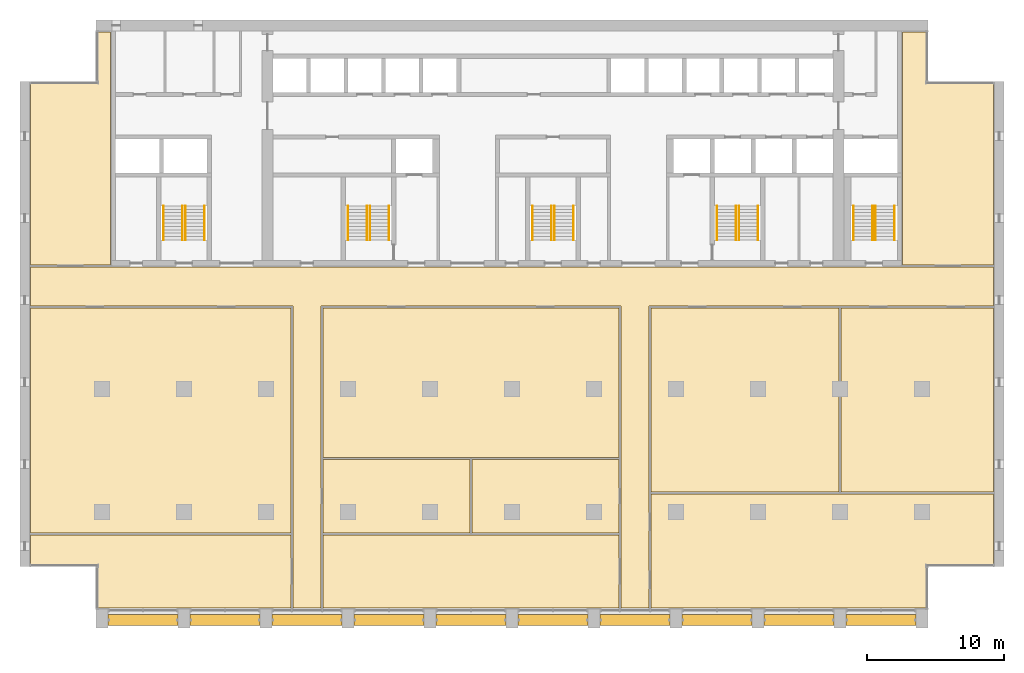
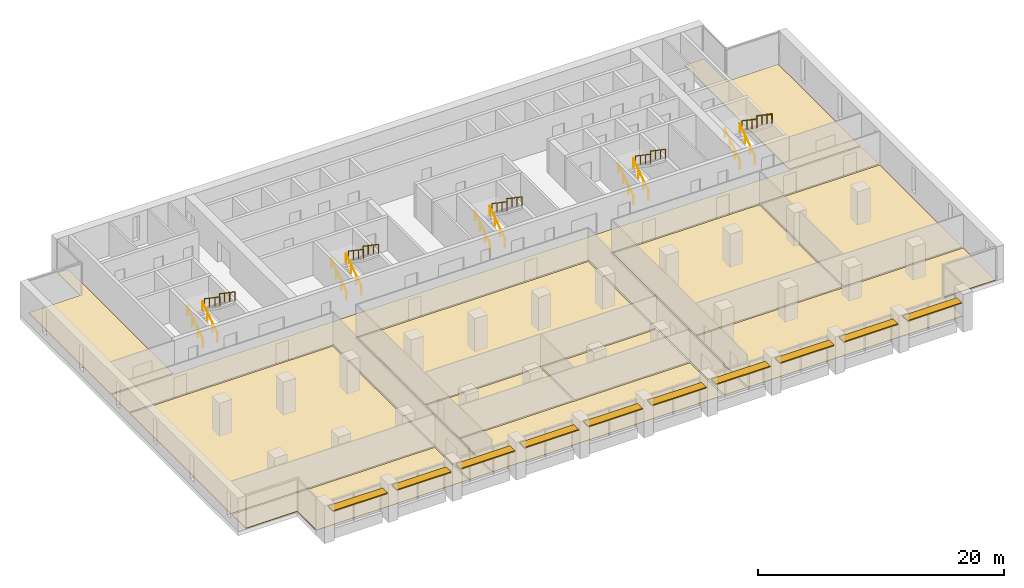
# One storey, part 15 of 15: 20 railings, 12 coverings, 10 shading devices, 5 elements without a shape of their own.
"""IFC4 building model written with IfcOpenShell, lengths in metres."""

from ifc_helpers import new_model, si_unit, direction, frame, origin, origin_2d, place, context, subcontext, project, spatial, polyline, rectangle, circle, outline, extrude, material, layer, layer_set, material_profile, profile_set, type_object, element, aggregate, save


model = new_model("IFC4")

# Units and contexts
model_context = context("Model", 3, precision=1e-05, world=origin(), true_north=direction((0.0, 1.0)))
body_context = subcontext(model_context, "Body", "Model", "MODEL_VIEW")
ifc_project = project(units=[si_unit("LENGTHUNIT", "METRE"), si_unit("AREAUNIT", "SQUARE_METRE"), si_unit("VOLUMEUNIT", "CUBIC_METRE"), si_unit("PLANEANGLEUNIT", "RADIAN"), si_unit("MASSUNIT", "GRAM", prefix="KILO")], contexts=[model_context])

# Site, building, storey
site_placement = place(None, origin())
site = spatial("IfcSite", under=ifc_project, at=site_placement, CompositionType="ELEMENT")
building_placement = place(site_placement, origin())
building = spatial("IfcBuilding", under=site, at=building_placement, Name="Calvaro Tower", CompositionType="ELEMENT")
storey_placement = place(building_placement, frame((0.0, 0.0, 147.5)))
storey = spatial("IfcBuildingStorey", under=building, at=storey_placement, Name="L37", CompositionType="ELEMENT", Elevation=147.5)

# Shading devices
ifc_material_1 = material(Name="Anodised aluminium", Category="aluminium")
ifc_material_profile = material_profile(ifc_material_1, rectangle(XDim=0.800048828125, YDim=0.10009765625, at=origin_2d()), Name="Brise-soleil blade 800 x 100")
ifc_profile_set = profile_set([ifc_material_profile], Name="Anodised aluminium")
shading_device_type = type_object("IfcShadingDeviceType", Name="Brise-soleil blade 800 x 100", PredefinedType="JALOUSIE", material=ifc_profile_set)
for number, where, z_axis, x_axis, name in (
    (1, (6.449951171875, 2.10009765625, 2.39990234375), (1.0, 0.0, 0.0), (0.0, 1.0, 0.0), "Brise-soleil blade 1"),
    (2, (12.449951171875, 2.10009765625, 2.39990234375), (1.0, 0.0, 0.0), (0.0, 1.0, 0.0), "Brise-soleil blade 2"),
    (3, (18.449951171875, 2.10009765625, 2.39990234375), (1.0, 0.0, 0.0), (0.0, 1.0, 0.0), "Brise-soleil blade 3"),
    (4, (24.449951171875, 2.10009765625, 2.39990234375), (1.0, 0.0, 0.0), (0.0, 1.0, 0.0), "Brise-soleil blade 4"),
    (5, (30.449951171875, 2.10009765625, 2.39990234375), (1.0, 0.0, 0.0), (0.0, 1.0, 0.0), "Brise-soleil blade 5"),
    (6, (36.449951171875, 2.10009765625, 2.39990234375), (1.0, 0.0, 0.0), (0.0, 1.0, 0.0), "Brise-soleil blade 6"),
    (7, (42.449951171875, 2.10009765625, 2.39990234375), (1.0, 0.0, 0.0), (0.0, 1.0, 0.0), "Brise-soleil blade 7"),
    (8, (48.449951171875, 2.10009765625, 2.39990234375), (1.0, 0.0, 0.0), (0.0, 1.0, 0.0), "Brise-soleil blade 8"),
    (9, (54.449951171875, 2.10009765625, 2.39990234375), (1.0, 0.0, 0.0), (0.0, 1.0, 0.0), "Brise-soleil blade 9"),
    (10, (60.449951171875, 2.10009765625, 2.39990234375), (1.0, 0.0, 0.0), (0.0, 1.0, 0.0), "Brise-soleil blade 10"),
):
    element("IfcShadingDevice", number, at=place(storey_placement, frame(where, z_axis=z_axis, x_axis=x_axis)), inside=storey, type_object=shading_device_type, Name=name, PredefinedType="JALOUSIE", context=body_context, shape_type="SweptSolid", body=[
        extrude(rectangle(XDim=0.800048828125, YDim=0.10009765625, at=origin_2d()), origin(), (0.0, 0.0, 1.0), 5.10009765625),
    ])

# Coverings
ifc_material_2 = material(Name="Cement screed with carpet tile finish")
ifc_layer = layer(ifc_material_2, 0.050048828125)
ifc_layer_set = layer_set([ifc_layer], Name="Cement screed with carpet tile finish")
covering_type = type_object("IfcCoveringType", Name="Floor finish 50", PredefinedType="FLOORING", material=ifc_layer_set)
covering_1_placement = place(storey_placement, origin())
element("IfcCovering", 11, at=covering_1_placement, inside=storey, type_object=covering_type, Name="Floor finish 22.01", PredefinedType="FLOORING", context=body_context, shape_type="SweptSolid", body=[
    extrude(outline(polyline([(19.969970703125, 2.969970703125), (19.969970703125, 25.070068359375), (0.77001953125, 25.070068359375), (0.77001953125, 27.929931640625), (71.22998046875, 27.929931640625), (71.22998046875, 25.070068359375), (46.030029296875, 25.070068359375), (46.030029296875, 2.969970703125), (43.969970703125, 2.969970703125), (43.969970703125, 25.070068359375), (22.030029296875, 25.070068359375), (22.030029296875, 2.969970703125), (19.969970703125, 2.969970703125)])), origin(), (0.0, 0.0, 1.0), 0.050048828125),
])
covering_2_placement = place(storey_placement, origin())
element("IfcCovering", 12, at=covering_2_placement, inside=storey, type_object=covering_type, Name="Floor finish 22.03", PredefinedType="FLOORING", context=body_context, shape_type="SweptSolid", body=[
    extrude(outline(polyline([(19.830078125, 8.330078125), (19.830078125, 2.969970703125), (5.6201171875, 2.969970703125), (5.6201171875, 6.070068359375), (0.77001953125, 6.070068359375), (0.77001953125, 8.330078125), (19.830078125, 8.330078125)])), origin(), (0.0, 0.0, 1.0), 0.050048828125),
])
covering_3_placement = place(storey_placement, origin())
element("IfcCovering", 13, at=covering_3_placement, inside=storey, type_object=covering_type, Name="Floor finish 22.07", PredefinedType="FLOORING", context=body_context, shape_type="SweptSolid", body=[
    extrude(outline(polyline([(19.830078125, 24.929931640625), (19.830078125, 8.469970703125), (0.77001953125, 8.469970703125), (0.77001953125, 24.929931640625), (19.830078125, 24.929931640625)])), origin(), (0.0, 0.0, 1.0), 0.050048828125),
])
covering_4_placement = place(storey_placement, origin())
element("IfcCovering", 14, at=covering_4_placement, inside=storey, type_object=covering_type, Name="Floor finish 22.02", PredefinedType="FLOORING", context=body_context, shape_type="SweptSolid", body=[
    extrude(outline(polyline([(22.169921875, 8.330078125), (43.830078125, 8.330078125), (43.830078125, 2.969970703125), (22.169921875, 2.969970703125), (22.169921875, 8.330078125)])), origin(), (0.0, 0.0, 1.0), 0.050048828125),
])
covering_5_placement = place(storey_placement, origin())
element("IfcCovering", 15, at=covering_5_placement, inside=storey, type_object=covering_type, Name="Floor finish 22.05", PredefinedType="FLOORING", context=body_context, shape_type="SweptSolid", body=[
    extrude(outline(polyline([(22.169921875, 8.469970703125), (22.169921875, 13.830078125), (32.929931640625, 13.830078125), (32.929931640625, 8.469970703125), (22.169921875, 8.469970703125)])), origin(), (0.0, 0.0, 1.0), 0.050048828125),
])
covering_6_placement = place(storey_placement, origin())
element("IfcCovering", 16, at=covering_6_placement, inside=storey, type_object=covering_type, Name="Floor finish 22.06", PredefinedType="FLOORING", context=body_context, shape_type="SweptSolid", body=[
    extrude(outline(polyline([(33.070068359375, 8.469970703125), (33.070068359375, 13.830078125), (43.830078125, 13.830078125), (43.830078125, 8.469970703125), (33.070068359375, 8.469970703125)])), origin(), (0.0, 0.0, 1.0), 0.050048828125),
])
covering_7_placement = place(storey_placement, origin())
element("IfcCovering", 17, at=covering_7_placement, inside=storey, type_object=covering_type, Name="Floor finish 22.10", PredefinedType="FLOORING", context=body_context, shape_type="SweptSolid", body=[
    extrude(outline(polyline([(22.169921875, 13.969970703125), (22.169921875, 24.929931640625), (43.830078125, 24.929931640625), (43.830078125, 13.969970703125), (22.169921875, 13.969970703125)])), origin(), (0.0, 0.0, 1.0), 0.050048828125),
])
covering_8_placement = place(storey_placement, origin())
element("IfcCovering", 18, at=covering_8_placement, inside=storey, type_object=covering_type, Name="Floor finish 22.04", PredefinedType="FLOORING", context=body_context, shape_type="SweptSolid", body=[
    extrude(outline(polyline([(71.22998046875, 6.070068359375), (66.3798828125, 6.070068359375), (66.3798828125, 2.969970703125), (46.169921875, 2.969970703125), (46.169921875, 11.330078125), (71.22998046875, 11.330078125), (71.22998046875, 6.070068359375)])), origin(), (0.0, 0.0, 1.0), 0.050048828125),
])
covering_9_placement = place(storey_placement, origin())
element("IfcCovering", 19, at=covering_9_placement, inside=storey, type_object=covering_type, Name="Floor finish 22.08", PredefinedType="FLOORING", context=body_context, shape_type="SweptSolid", body=[
    extrude(outline(polyline([(46.169921875, 11.469970703125), (46.169921875, 24.929931640625), (59.929931640625, 24.929931640625), (59.929931640625, 11.469970703125), (46.169921875, 11.469970703125)])), origin(), (0.0, 0.0, 1.0), 0.050048828125),
])
covering_10_placement = place(storey_placement, origin())
element("IfcCovering", 20, at=covering_10_placement, inside=storey, type_object=covering_type, Name="Floor finish 22.09", PredefinedType="FLOORING", context=body_context, shape_type="SweptSolid", body=[
    extrude(outline(polyline([(71.22998046875, 11.469970703125), (60.070068359375, 11.469970703125), (60.070068359375, 24.929931640625), (71.22998046875, 24.929931640625), (71.22998046875, 11.469970703125)])), origin(), (0.0, 0.0, 1.0), 0.050048828125),
])
covering_11_placement = place(storey_placement, origin())
element("IfcCovering", 21, at=covering_11_placement, inside=storey, type_object=covering_type, Name="Floor finish 22.11", PredefinedType="FLOORING", context=body_context, shape_type="SweptSolid", body=[
    extrude(outline(polyline([(6.6298828125, 28.070068359375), (0.77001953125, 28.070068359375), (0.77001953125, 41.429931640625), (5.6201171875, 41.429931640625), (5.6201171875, 45.1298828125), (6.6298828125, 45.1298828125), (6.6298828125, 28.070068359375)])), origin(), (0.0, 0.0, 1.0), 0.050048828125),
])
covering_12_placement = place(storey_placement, origin())
element("IfcCovering", 22, at=covering_12_placement, inside=storey, type_object=covering_type, Name="Floor finish 22.12", PredefinedType="FLOORING", context=body_context, shape_type="SweptSolid", body=[
    extrude(outline(polyline([(71.22998046875, 28.070068359375), (64.570068359375, 28.070068359375), (64.570068359375, 45.1298828125), (66.3798828125, 45.1298828125), (66.3798828125, 41.429931640625), (71.22998046875, 41.429931640625), (71.22998046875, 28.070068359375)])), origin(), (0.0, 0.0, 1.0), 0.050048828125),
])

# Stair, railings
ifc_material_3 = material(Name="Concrete C40/50", Category="concrete")
stair_type = type_object("IfcStairType", Name="Exit stair 1400 2 flights", PredefinedType="HALF_TURN_STAIR", material=ifc_material_3)
stair_1_placement = place(storey_placement, origin())
stair_1 = element("IfcStair", 23, at=stair_1_placement, inside=storey, type_object=stair_type, Name="Exit stair S1", PredefinedType="HALF_TURN_STAIR")
ifc_material_4 = material(Name="Stainless steel", Category="steel")
railing_type = type_object("IfcRailingType", Name="Stair handrail", PredefinedType="HANDRAIL", material=ifc_material_4)
railing_1_placement = place(storey_placement, frame((11.89990234375, 29.89990234375, 0.17041015625)))
railing_1 = element("IfcRailing", 24, at=railing_1_placement, type_object=railing_type, Name="Exit stair 1 handrail", PredefinedType="HANDRAIL", context=body_context, shape_type="SweptSolid", body=[
    extrude(circle(Radius=0.02392578125, at=origin_2d()), frame((0.0, 0.0, 0.8759765625), z_axis=(0.0, 0.826220514629, 0.563346839174), x_axis=(-1.0, 0.0, 0.0)), (0.0, 0.0, 1.0), 3.02587890625),
    extrude(circle(Radius=0.02099609375, at=origin_2d()), frame((0.0, 0.017333984375, 0.01171875)), (0.0, 0.0, 1.0), 0.851806640625),
    extrude(circle(Radius=0.02099609375, at=origin_2d()), frame((0.0, 0.833251953125, 0.568115234375)), (0.0, 0.0, 1.0), 0.851806640625),
    extrude(circle(Radius=0.02099609375, at=origin_2d()), frame((0.0, 1.666748046875, 1.136474609375)), (0.0, 0.0, 1.0), 0.851806640625),
    extrude(circle(Radius=0.02099609375, at=origin_2d()), frame((0.0, 2.482666015625, 1.69287109375)), (0.0, 0.0, 1.0), 0.851806640625),
])
railing_2_placement = place(storey_placement, frame((10.5, 29.89990234375, 0.17041015625)))
railing_2 = element("IfcRailing", 25, at=railing_2_placement, type_object=railing_type, Name="Exit stair 1 handrail", PredefinedType="HANDRAIL", context=body_context, shape_type="SweptSolid", body=[
    extrude(circle(Radius=0.02392578125, at=origin_2d()), frame((0.0, 0.0, 0.8759765625), z_axis=(0.0, 0.826220514629, 0.563346839174), x_axis=(-1.0, 0.0, 0.0)), (0.0, 0.0, 1.0), 3.02587890625),
    extrude(circle(Radius=0.02099609375, at=origin_2d()), frame((0.0, 0.017333984375, 0.01171875)), (0.0, 0.0, 1.0), 0.851806640625),
    extrude(circle(Radius=0.02099609375, at=origin_2d()), frame((0.0, 0.833251953125, 0.568115234375)), (0.0, 0.0, 1.0), 0.851806640625),
    extrude(circle(Radius=0.02099609375, at=origin_2d()), frame((0.0, 1.666748046875, 1.136474609375)), (0.0, 0.0, 1.0), 0.851806640625),
    extrude(circle(Radius=0.02099609375, at=origin_2d()), frame((0.0, 2.482666015625, 1.69287109375)), (0.0, 0.0, 1.0), 0.851806640625),
])
railing_3_placement = place(storey_placement, frame((12.10009765625, 32.39990234375, 2.04541015625)))
railing_3 = element("IfcRailing", 26, at=railing_3_placement, type_object=railing_type, Name="Exit stair 1 handrail", PredefinedType="HANDRAIL", context=body_context, shape_type="SweptSolid", body=[
    extrude(circle(Radius=0.02392578125, at=origin_2d()), frame((0.0, 0.0, 0.8759765625), z_axis=(0.0, -0.826220514629, 0.563346839174), x_axis=(1.0, 0.0, 0.0)), (0.0, 0.0, 1.0), 3.02587890625),
    extrude(circle(Radius=0.02099609375, at=origin_2d()), frame((0.0, -0.017333984375, 0.01171875)), (0.0, 0.0, 1.0), 0.851806640625),
    extrude(circle(Radius=0.02099609375, at=origin_2d()), frame((0.0, -0.833251953125, 0.568115234375)), (0.0, 0.0, 1.0), 0.851806640625),
    extrude(circle(Radius=0.02099609375, at=origin_2d()), frame((0.0, -1.666748046875, 1.136474609375)), (0.0, 0.0, 1.0), 0.851806640625),
    extrude(circle(Radius=0.02099609375, at=origin_2d()), frame((0.0, -2.482666015625, 1.69287109375)), (0.0, 0.0, 1.0), 0.851806640625),
])
railing_4_placement = place(storey_placement, frame((13.5, 32.39990234375, 2.04541015625)))
railing_4 = element("IfcRailing", 27, at=railing_4_placement, type_object=railing_type, Name="Exit stair 1 handrail", PredefinedType="HANDRAIL", context=body_context, shape_type="SweptSolid", body=[
    extrude(circle(Radius=0.02392578125, at=origin_2d()), frame((0.0, 0.0, 0.8759765625), z_axis=(0.0, -0.826220514629, 0.563346839174), x_axis=(1.0, 0.0, 0.0)), (0.0, 0.0, 1.0), 3.02587890625),
    extrude(circle(Radius=0.02099609375, at=origin_2d()), frame((0.0, -0.017333984375, 0.01171875)), (0.0, 0.0, 1.0), 0.851806640625),
    extrude(circle(Radius=0.02099609375, at=origin_2d()), frame((0.0, -0.833251953125, 0.568115234375)), (0.0, 0.0, 1.0), 0.851806640625),
    extrude(circle(Radius=0.02099609375, at=origin_2d()), frame((0.0, -1.666748046875, 1.136474609375)), (0.0, 0.0, 1.0), 0.851806640625),
    extrude(circle(Radius=0.02099609375, at=origin_2d()), frame((0.0, -2.482666015625, 1.69287109375)), (0.0, 0.0, 1.0), 0.851806640625),
])
aggregate(stair_1, [railing_1, railing_2, railing_3, railing_4])

stair_2_placement = place(storey_placement, origin())
stair_2 = element("IfcStair", 28, at=stair_2_placement, inside=storey, type_object=stair_type, Name="Exit stair S2", PredefinedType="HALF_TURN_STAIR")
railing_5_placement = place(storey_placement, frame((25.39990234375, 29.89990234375, 0.17041015625)))
railing_5 = element("IfcRailing", 29, at=railing_5_placement, type_object=railing_type, Name="Exit stair 2 handrail", PredefinedType="HANDRAIL", context=body_context, shape_type="SweptSolid", body=[
    extrude(circle(Radius=0.02392578125, at=origin_2d()), frame((0.0, 0.0, 0.8759765625), z_axis=(0.0, 0.826220514629, 0.563346839174), x_axis=(-1.0, 0.0, 0.0)), (0.0, 0.0, 1.0), 3.02587890625),
    extrude(circle(Radius=0.02099609375, at=origin_2d()), frame((0.0, 0.017333984375, 0.01171875)), (0.0, 0.0, 1.0), 0.851806640625),
    extrude(circle(Radius=0.02099609375, at=origin_2d()), frame((0.0, 0.833251953125, 0.568115234375)), (0.0, 0.0, 1.0), 0.851806640625),
    extrude(circle(Radius=0.02099609375, at=origin_2d()), frame((0.0, 1.666748046875, 1.136474609375)), (0.0, 0.0, 1.0), 0.851806640625),
    extrude(circle(Radius=0.02099609375, at=origin_2d()), frame((0.0, 2.482666015625, 1.69287109375)), (0.0, 0.0, 1.0), 0.851806640625),
])
railing_6_placement = place(storey_placement, frame((24.0, 29.89990234375, 0.17041015625)))
railing_6 = element("IfcRailing", 30, at=railing_6_placement, type_object=railing_type, Name="Exit stair 2 handrail", PredefinedType="HANDRAIL", context=body_context, shape_type="SweptSolid", body=[
    extrude(circle(Radius=0.02392578125, at=origin_2d()), frame((0.0, 0.0, 0.8759765625), z_axis=(0.0, 0.826220514629, 0.563346839174), x_axis=(-1.0, 0.0, 0.0)), (0.0, 0.0, 1.0), 3.02587890625),
    extrude(circle(Radius=0.02099609375, at=origin_2d()), frame((0.0, 0.017333984375, 0.01171875)), (0.0, 0.0, 1.0), 0.851806640625),
    extrude(circle(Radius=0.02099609375, at=origin_2d()), frame((0.0, 0.833251953125, 0.568115234375)), (0.0, 0.0, 1.0), 0.851806640625),
    extrude(circle(Radius=0.02099609375, at=origin_2d()), frame((0.0, 1.666748046875, 1.136474609375)), (0.0, 0.0, 1.0), 0.851806640625),
    extrude(circle(Radius=0.02099609375, at=origin_2d()), frame((0.0, 2.482666015625, 1.69287109375)), (0.0, 0.0, 1.0), 0.851806640625),
])
railing_7_placement = place(storey_placement, frame((25.60009765625, 32.39990234375, 2.04541015625)))
railing_7 = element("IfcRailing", 31, at=railing_7_placement, type_object=railing_type, Name="Exit stair 2 handrail", PredefinedType="HANDRAIL", context=body_context, shape_type="SweptSolid", body=[
    extrude(circle(Radius=0.02392578125, at=origin_2d()), frame((0.0, 0.0, 0.8759765625), z_axis=(0.0, -0.826220514629, 0.563346839174), x_axis=(1.0, 0.0, 0.0)), (0.0, 0.0, 1.0), 3.02587890625),
    extrude(circle(Radius=0.02099609375, at=origin_2d()), frame((0.0, -0.017333984375, 0.01171875)), (0.0, 0.0, 1.0), 0.851806640625),
    extrude(circle(Radius=0.02099609375, at=origin_2d()), frame((0.0, -0.833251953125, 0.568115234375)), (0.0, 0.0, 1.0), 0.851806640625),
    extrude(circle(Radius=0.02099609375, at=origin_2d()), frame((0.0, -1.666748046875, 1.136474609375)), (0.0, 0.0, 1.0), 0.851806640625),
    extrude(circle(Radius=0.02099609375, at=origin_2d()), frame((0.0, -2.482666015625, 1.69287109375)), (0.0, 0.0, 1.0), 0.851806640625),
])
railing_8_placement = place(storey_placement, frame((27.0, 32.39990234375, 2.04541015625)))
railing_8 = element("IfcRailing", 32, at=railing_8_placement, type_object=railing_type, Name="Exit stair 2 handrail", PredefinedType="HANDRAIL", context=body_context, shape_type="SweptSolid", body=[
    extrude(circle(Radius=0.02392578125, at=origin_2d()), frame((0.0, 0.0, 0.8759765625), z_axis=(0.0, -0.826220514629, 0.563346839174), x_axis=(1.0, 0.0, 0.0)), (0.0, 0.0, 1.0), 3.02587890625),
    extrude(circle(Radius=0.02099609375, at=origin_2d()), frame((0.0, -0.017333984375, 0.01171875)), (0.0, 0.0, 1.0), 0.851806640625),
    extrude(circle(Radius=0.02099609375, at=origin_2d()), frame((0.0, -0.833251953125, 0.568115234375)), (0.0, 0.0, 1.0), 0.851806640625),
    extrude(circle(Radius=0.02099609375, at=origin_2d()), frame((0.0, -1.666748046875, 1.136474609375)), (0.0, 0.0, 1.0), 0.851806640625),
    extrude(circle(Radius=0.02099609375, at=origin_2d()), frame((0.0, -2.482666015625, 1.69287109375)), (0.0, 0.0, 1.0), 0.851806640625),
])
aggregate(stair_2, [railing_5, railing_6, railing_7, railing_8])

stair_3_placement = place(storey_placement, origin())
stair_3 = element("IfcStair", 33, at=stair_3_placement, inside=storey, type_object=stair_type, Name="Exit stair S3", PredefinedType="HALF_TURN_STAIR")
railing_9_placement = place(storey_placement, frame((38.89990234375, 29.89990234375, 0.17041015625)))
railing_9 = element("IfcRailing", 34, at=railing_9_placement, type_object=railing_type, Name="Exit stair 3 handrail", PredefinedType="HANDRAIL", context=body_context, shape_type="SweptSolid", body=[
    extrude(circle(Radius=0.02392578125, at=origin_2d()), frame((0.0, 0.0, 0.8759765625), z_axis=(0.0, 0.826220514629, 0.563346839174), x_axis=(-1.0, 0.0, 0.0)), (0.0, 0.0, 1.0), 3.02587890625),
    extrude(circle(Radius=0.02099609375, at=origin_2d()), frame((0.0, 0.017333984375, 0.01171875)), (0.0, 0.0, 1.0), 0.851806640625),
    extrude(circle(Radius=0.02099609375, at=origin_2d()), frame((0.0, 0.833251953125, 0.568115234375)), (0.0, 0.0, 1.0), 0.851806640625),
    extrude(circle(Radius=0.02099609375, at=origin_2d()), frame((0.0, 1.666748046875, 1.136474609375)), (0.0, 0.0, 1.0), 0.851806640625),
    extrude(circle(Radius=0.02099609375, at=origin_2d()), frame((0.0, 2.482666015625, 1.69287109375)), (0.0, 0.0, 1.0), 0.851806640625),
])
railing_10_placement = place(storey_placement, frame((37.5, 29.89990234375, 0.17041015625)))
railing_10 = element("IfcRailing", 35, at=railing_10_placement, type_object=railing_type, Name="Exit stair 3 handrail", PredefinedType="HANDRAIL", context=body_context, shape_type="SweptSolid", body=[
    extrude(circle(Radius=0.02392578125, at=origin_2d()), frame((0.0, 0.0, 0.8759765625), z_axis=(0.0, 0.826220514629, 0.563346839174), x_axis=(-1.0, 0.0, 0.0)), (0.0, 0.0, 1.0), 3.02587890625),
    extrude(circle(Radius=0.02099609375, at=origin_2d()), frame((0.0, 0.017333984375, 0.01171875)), (0.0, 0.0, 1.0), 0.851806640625),
    extrude(circle(Radius=0.02099609375, at=origin_2d()), frame((0.0, 0.833251953125, 0.568115234375)), (0.0, 0.0, 1.0), 0.851806640625),
    extrude(circle(Radius=0.02099609375, at=origin_2d()), frame((0.0, 1.666748046875, 1.136474609375)), (0.0, 0.0, 1.0), 0.851806640625),
    extrude(circle(Radius=0.02099609375, at=origin_2d()), frame((0.0, 2.482666015625, 1.69287109375)), (0.0, 0.0, 1.0), 0.851806640625),
])
railing_11_placement = place(storey_placement, frame((39.10009765625, 32.39990234375, 2.04541015625)))
railing_11 = element("IfcRailing", 36, at=railing_11_placement, type_object=railing_type, Name="Exit stair 3 handrail", PredefinedType="HANDRAIL", context=body_context, shape_type="SweptSolid", body=[
    extrude(circle(Radius=0.02392578125, at=origin_2d()), frame((0.0, 0.0, 0.8759765625), z_axis=(0.0, -0.826220514629, 0.563346839174), x_axis=(1.0, 0.0, 0.0)), (0.0, 0.0, 1.0), 3.02587890625),
    extrude(circle(Radius=0.02099609375, at=origin_2d()), frame((0.0, -0.017333984375, 0.01171875)), (0.0, 0.0, 1.0), 0.851806640625),
    extrude(circle(Radius=0.02099609375, at=origin_2d()), frame((0.0, -0.833251953125, 0.568115234375)), (0.0, 0.0, 1.0), 0.851806640625),
    extrude(circle(Radius=0.02099609375, at=origin_2d()), frame((0.0, -1.666748046875, 1.136474609375)), (0.0, 0.0, 1.0), 0.851806640625),
    extrude(circle(Radius=0.02099609375, at=origin_2d()), frame((0.0, -2.482666015625, 1.69287109375)), (0.0, 0.0, 1.0), 0.851806640625),
])
railing_12_placement = place(storey_placement, frame((40.5, 32.39990234375, 2.04541015625)))
railing_12 = element("IfcRailing", 37, at=railing_12_placement, type_object=railing_type, Name="Exit stair 3 handrail", PredefinedType="HANDRAIL", context=body_context, shape_type="SweptSolid", body=[
    extrude(circle(Radius=0.02392578125, at=origin_2d()), frame((0.0, 0.0, 0.8759765625), z_axis=(0.0, -0.826220514629, 0.563346839174), x_axis=(1.0, 0.0, 0.0)), (0.0, 0.0, 1.0), 3.02587890625),
    extrude(circle(Radius=0.02099609375, at=origin_2d()), frame((0.0, -0.017333984375, 0.01171875)), (0.0, 0.0, 1.0), 0.851806640625),
    extrude(circle(Radius=0.02099609375, at=origin_2d()), frame((0.0, -0.833251953125, 0.568115234375)), (0.0, 0.0, 1.0), 0.851806640625),
    extrude(circle(Radius=0.02099609375, at=origin_2d()), frame((0.0, -1.666748046875, 1.136474609375)), (0.0, 0.0, 1.0), 0.851806640625),
    extrude(circle(Radius=0.02099609375, at=origin_2d()), frame((0.0, -2.482666015625, 1.69287109375)), (0.0, 0.0, 1.0), 0.851806640625),
])
aggregate(stair_3, [railing_9, railing_10, railing_11, railing_12])

stair_4_placement = place(storey_placement, origin())
stair_4 = element("IfcStair", 38, at=stair_4_placement, inside=storey, type_object=stair_type, Name="Exit stair S4", PredefinedType="HALF_TURN_STAIR")
railing_13_placement = place(storey_placement, frame((52.39990234375, 29.89990234375, 0.17041015625)))
railing_13 = element("IfcRailing", 39, at=railing_13_placement, type_object=railing_type, Name="Exit stair 4 handrail", PredefinedType="HANDRAIL", context=body_context, shape_type="SweptSolid", body=[
    extrude(circle(Radius=0.02392578125, at=origin_2d()), frame((0.0, 0.0, 0.8759765625), z_axis=(0.0, 0.826220514629, 0.563346839174), x_axis=(-1.0, 0.0, 0.0)), (0.0, 0.0, 1.0), 3.02587890625),
    extrude(circle(Radius=0.02099609375, at=origin_2d()), frame((0.0, 0.017333984375, 0.01171875)), (0.0, 0.0, 1.0), 0.851806640625),
    extrude(circle(Radius=0.02099609375, at=origin_2d()), frame((0.0, 0.833251953125, 0.568115234375)), (0.0, 0.0, 1.0), 0.851806640625),
    extrude(circle(Radius=0.02099609375, at=origin_2d()), frame((0.0, 1.666748046875, 1.136474609375)), (0.0, 0.0, 1.0), 0.851806640625),
    extrude(circle(Radius=0.02099609375, at=origin_2d()), frame((0.0, 2.482666015625, 1.69287109375)), (0.0, 0.0, 1.0), 0.851806640625),
])
railing_14_placement = place(storey_placement, frame((51.0, 29.89990234375, 0.17041015625)))
railing_14 = element("IfcRailing", 40, at=railing_14_placement, type_object=railing_type, Name="Exit stair 4 handrail", PredefinedType="HANDRAIL", context=body_context, shape_type="SweptSolid", body=[
    extrude(circle(Radius=0.02392578125, at=origin_2d()), frame((0.0, 0.0, 0.8759765625), z_axis=(0.0, 0.826220514629, 0.563346839174), x_axis=(-1.0, 0.0, 0.0)), (0.0, 0.0, 1.0), 3.02587890625),
    extrude(circle(Radius=0.02099609375, at=origin_2d()), frame((0.0, 0.017333984375, 0.01171875)), (0.0, 0.0, 1.0), 0.851806640625),
    extrude(circle(Radius=0.02099609375, at=origin_2d()), frame((0.0, 0.833251953125, 0.568115234375)), (0.0, 0.0, 1.0), 0.851806640625),
    extrude(circle(Radius=0.02099609375, at=origin_2d()), frame((0.0, 1.666748046875, 1.136474609375)), (0.0, 0.0, 1.0), 0.851806640625),
    extrude(circle(Radius=0.02099609375, at=origin_2d()), frame((0.0, 2.482666015625, 1.69287109375)), (0.0, 0.0, 1.0), 0.851806640625),
])
railing_15_placement = place(storey_placement, frame((52.60009765625, 32.39990234375, 2.04541015625)))
railing_15 = element("IfcRailing", 41, at=railing_15_placement, type_object=railing_type, Name="Exit stair 4 handrail", PredefinedType="HANDRAIL", context=body_context, shape_type="SweptSolid", body=[
    extrude(circle(Radius=0.02392578125, at=origin_2d()), frame((0.0, 0.0, 0.8759765625), z_axis=(0.0, -0.826220514629, 0.563346839174), x_axis=(1.0, 0.0, 0.0)), (0.0, 0.0, 1.0), 3.02587890625),
    extrude(circle(Radius=0.02099609375, at=origin_2d()), frame((0.0, -0.017333984375, 0.01171875)), (0.0, 0.0, 1.0), 0.851806640625),
    extrude(circle(Radius=0.02099609375, at=origin_2d()), frame((0.0, -0.833251953125, 0.568115234375)), (0.0, 0.0, 1.0), 0.851806640625),
    extrude(circle(Radius=0.02099609375, at=origin_2d()), frame((0.0, -1.666748046875, 1.136474609375)), (0.0, 0.0, 1.0), 0.851806640625),
    extrude(circle(Radius=0.02099609375, at=origin_2d()), frame((0.0, -2.482666015625, 1.69287109375)), (0.0, 0.0, 1.0), 0.851806640625),
])
railing_16_placement = place(storey_placement, frame((54.0, 32.39990234375, 2.04541015625)))
railing_16 = element("IfcRailing", 42, at=railing_16_placement, type_object=railing_type, Name="Exit stair 4 handrail", PredefinedType="HANDRAIL", context=body_context, shape_type="SweptSolid", body=[
    extrude(circle(Radius=0.02392578125, at=origin_2d()), frame((0.0, 0.0, 0.8759765625), z_axis=(0.0, -0.826220514629, 0.563346839174), x_axis=(1.0, 0.0, 0.0)), (0.0, 0.0, 1.0), 3.02587890625),
    extrude(circle(Radius=0.02099609375, at=origin_2d()), frame((0.0, -0.017333984375, 0.01171875)), (0.0, 0.0, 1.0), 0.851806640625),
    extrude(circle(Radius=0.02099609375, at=origin_2d()), frame((0.0, -0.833251953125, 0.568115234375)), (0.0, 0.0, 1.0), 0.851806640625),
    extrude(circle(Radius=0.02099609375, at=origin_2d()), frame((0.0, -1.666748046875, 1.136474609375)), (0.0, 0.0, 1.0), 0.851806640625),
    extrude(circle(Radius=0.02099609375, at=origin_2d()), frame((0.0, -2.482666015625, 1.69287109375)), (0.0, 0.0, 1.0), 0.851806640625),
])
aggregate(stair_4, [railing_13, railing_14, railing_15, railing_16])

stair_5_placement = place(storey_placement, origin())
stair_5 = element("IfcStair", 43, at=stair_5_placement, inside=storey, type_object=stair_type, Name="Exit stair S5", PredefinedType="HALF_TURN_STAIR")
railing_17_placement = place(storey_placement, frame((62.39990234375, 29.89990234375, 0.17041015625)))
railing_17 = element("IfcRailing", 44, at=railing_17_placement, type_object=railing_type, Name="Exit stair 5 handrail", PredefinedType="HANDRAIL", context=body_context, shape_type="SweptSolid", body=[
    extrude(circle(Radius=0.02392578125, at=origin_2d()), frame((0.0, 0.0, 0.8759765625), z_axis=(0.0, 0.826220514629, 0.563346839174), x_axis=(-1.0, 0.0, 0.0)), (0.0, 0.0, 1.0), 3.02587890625),
    extrude(circle(Radius=0.02099609375, at=origin_2d()), frame((0.0, 0.017333984375, 0.01171875)), (0.0, 0.0, 1.0), 0.851806640625),
    extrude(circle(Radius=0.02099609375, at=origin_2d()), frame((0.0, 0.833251953125, 0.568115234375)), (0.0, 0.0, 1.0), 0.851806640625),
    extrude(circle(Radius=0.02099609375, at=origin_2d()), frame((0.0, 1.666748046875, 1.136474609375)), (0.0, 0.0, 1.0), 0.851806640625),
    extrude(circle(Radius=0.02099609375, at=origin_2d()), frame((0.0, 2.482666015625, 1.69287109375)), (0.0, 0.0, 1.0), 0.851806640625),
])
railing_18_placement = place(storey_placement, frame((61.0, 29.89990234375, 0.17041015625)))
railing_18 = element("IfcRailing", 45, at=railing_18_placement, type_object=railing_type, Name="Exit stair 5 handrail", PredefinedType="HANDRAIL", context=body_context, shape_type="SweptSolid", body=[
    extrude(circle(Radius=0.02392578125, at=origin_2d()), frame((0.0, 0.0, 0.8759765625), z_axis=(0.0, 0.826220514629, 0.563346839174), x_axis=(-1.0, 0.0, 0.0)), (0.0, 0.0, 1.0), 3.02587890625),
    extrude(circle(Radius=0.02099609375, at=origin_2d()), frame((0.0, 0.017333984375, 0.01171875)), (0.0, 0.0, 1.0), 0.851806640625),
    extrude(circle(Radius=0.02099609375, at=origin_2d()), frame((0.0, 0.833251953125, 0.568115234375)), (0.0, 0.0, 1.0), 0.851806640625),
    extrude(circle(Radius=0.02099609375, at=origin_2d()), frame((0.0, 1.666748046875, 1.136474609375)), (0.0, 0.0, 1.0), 0.851806640625),
    extrude(circle(Radius=0.02099609375, at=origin_2d()), frame((0.0, 2.482666015625, 1.69287109375)), (0.0, 0.0, 1.0), 0.851806640625),
])
railing_19_placement = place(storey_placement, frame((62.60009765625, 32.39990234375, 2.04541015625)))
railing_19 = element("IfcRailing", 46, at=railing_19_placement, type_object=railing_type, Name="Exit stair 5 handrail", PredefinedType="HANDRAIL", context=body_context, shape_type="SweptSolid", body=[
    extrude(circle(Radius=0.02392578125, at=origin_2d()), frame((0.0, 0.0, 0.8759765625), z_axis=(0.0, -0.826220514629, 0.563346839174), x_axis=(1.0, 0.0, 0.0)), (0.0, 0.0, 1.0), 3.02587890625),
    extrude(circle(Radius=0.02099609375, at=origin_2d()), frame((0.0, -0.017333984375, 0.01171875)), (0.0, 0.0, 1.0), 0.851806640625),
    extrude(circle(Radius=0.02099609375, at=origin_2d()), frame((0.0, -0.833251953125, 0.568115234375)), (0.0, 0.0, 1.0), 0.851806640625),
    extrude(circle(Radius=0.02099609375, at=origin_2d()), frame((0.0, -1.666748046875, 1.136474609375)), (0.0, 0.0, 1.0), 0.851806640625),
    extrude(circle(Radius=0.02099609375, at=origin_2d()), frame((0.0, -2.482666015625, 1.69287109375)), (0.0, 0.0, 1.0), 0.851806640625),
])
railing_20_placement = place(storey_placement, frame((64.0, 32.39990234375, 2.04541015625)))
railing_20 = element("IfcRailing", 47, at=railing_20_placement, type_object=railing_type, Name="Exit stair 5 handrail", PredefinedType="HANDRAIL", context=body_context, shape_type="SweptSolid", body=[
    extrude(circle(Radius=0.02392578125, at=origin_2d()), frame((0.0, 0.0, 0.8759765625), z_axis=(0.0, -0.826220514629, 0.563346839174), x_axis=(1.0, 0.0, 0.0)), (0.0, 0.0, 1.0), 3.02587890625),
    extrude(circle(Radius=0.02099609375, at=origin_2d()), frame((0.0, -0.017333984375, 0.01171875)), (0.0, 0.0, 1.0), 0.851806640625),
    extrude(circle(Radius=0.02099609375, at=origin_2d()), frame((0.0, -0.833251953125, 0.568115234375)), (0.0, 0.0, 1.0), 0.851806640625),
    extrude(circle(Radius=0.02099609375, at=origin_2d()), frame((0.0, -1.666748046875, 1.136474609375)), (0.0, 0.0, 1.0), 0.851806640625),
    extrude(circle(Radius=0.02099609375, at=origin_2d()), frame((0.0, -2.482666015625, 1.69287109375)), (0.0, 0.0, 1.0), 0.851806640625),
])
aggregate(stair_5, [railing_17, railing_18, railing_19, railing_20])

save(model, "model.ifc")
